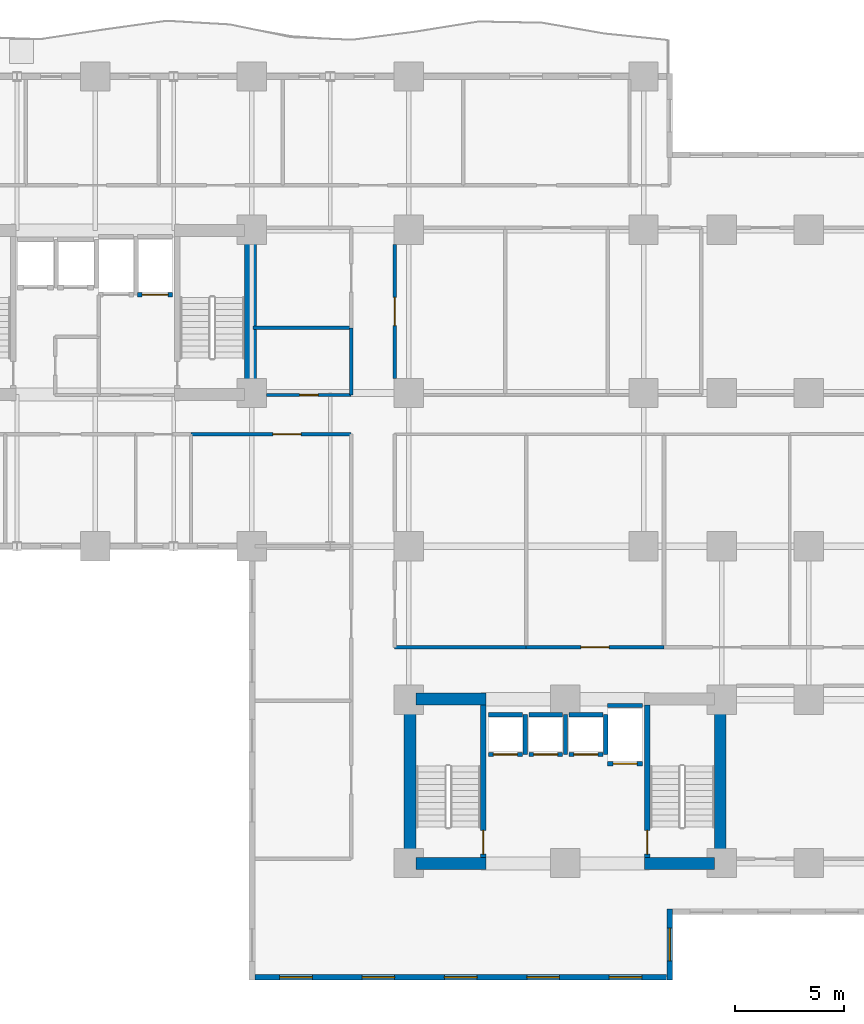
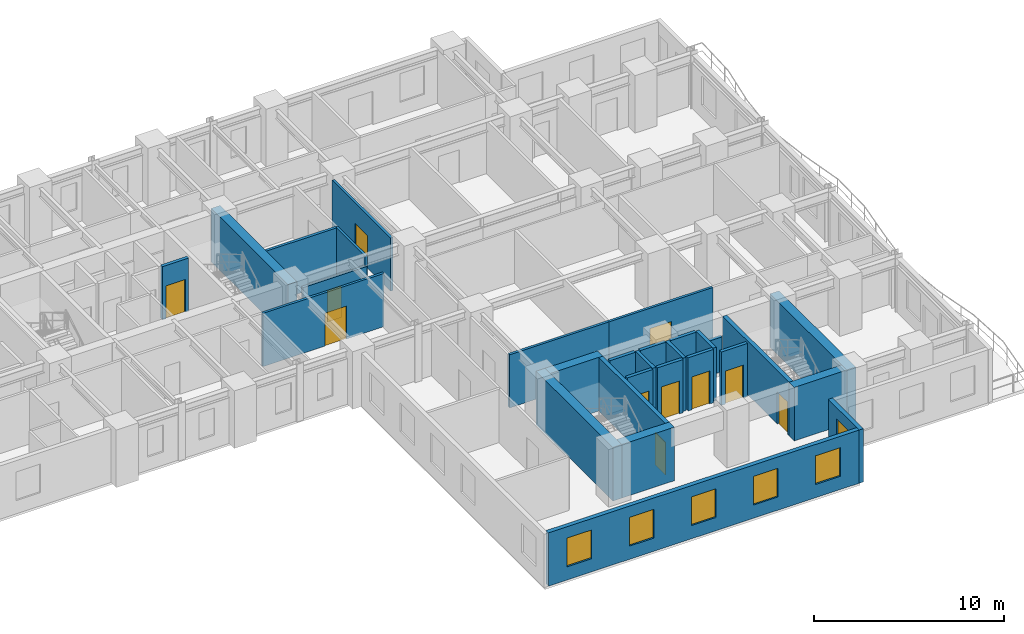
# One storey, part 10 of 17: 29 walls, 11 doors, 6 windows, 17 openings.
"""IFC4 building model written with IfcOpenShell, lengths in metres."""

from ifc_helpers import new_model, si_unit, direction, frame, frame_2d, origin, place, context, subcontext, project, spatial, rectangle, extrude, material, layer, layer_set, type_object, element, fill, save


model = new_model("IFC4")

# Units and contexts
model_context = context("Model", 3, precision=1e-05, world=origin(), true_north=direction((0.0, 1.0)))
body_context = subcontext(model_context, "Body", "Model", "MODEL_VIEW")
ifc_project = project(units=[si_unit("LENGTHUNIT", "METRE"), si_unit("AREAUNIT", "SQUARE_METRE"), si_unit("VOLUMEUNIT", "CUBIC_METRE"), si_unit("PLANEANGLEUNIT", "RADIAN"), si_unit("MASSUNIT", "GRAM", prefix="KILO")], contexts=[model_context])

# Site, building, storey
site_placement = place(None, origin())
site = spatial("IfcSite", under=ifc_project, at=site_placement, CompositionType="ELEMENT")
building_placement = place(site_placement, origin())
building = spatial("IfcBuilding", under=site, at=building_placement, Name="Kaliganga Portal Commons", CompositionType="ELEMENT")
storey_placement = place(building_placement, frame((0.0, 0.0, 62.300048828125)))
storey = spatial("IfcBuildingStorey", under=building, at=storey_placement, Name="L15", CompositionType="ELEMENT", Elevation=62.300048828125)

# Walls
ifc_material_1 = material(Name="Concrete C60/75", Category="concrete")
ifc_layer_1 = layer(ifc_material_1, 0.550048828125)
ifc_layer_set_1 = layer_set([ifc_layer_1], Name="Concrete C60/75")
wall_type_1 = type_object("IfcWallType", Name="WL-CORE-550", PredefinedType="SHEAR", material=ifc_layer_set_1)
wall_1_placement = place(storey_placement, frame((28.72509765625, 28.300048828125, 0.0), z_axis=(0.0, 0.0, 1.0), x_axis=(0.0, 1.0, 0.0)))
element("IfcWall", 1, at=wall_1_placement, inside=storey, type_object=wall_type_1, Name="Core A East Shear Wall L15", PredefinedType="SHEAR", context=body_context, shape_type="SweptSolid", body=[
    extrude(rectangle(XDim=8.099853515625, YDim=0.550048828125, at=frame_2d((4.0498046875, 0.0))), origin(), (0.0, 0.0, 1.0), 3.449951171875),
])
for number, where, z_axis, x_axis, name in (
    (2, (36.074951171875, 6.75, 0.0), (0.0, 0.0, 1.0), (0.0, 1.0, 0.0), "Core B West Shear Wall L15"),
    (3, (50.324951171875, 6.75, 0.0), (0.0, 0.0, 1.0), (0.0, 1.0, 0.0), "Core B East Shear Wall L15"),
):
    element("IfcWall", number, at=place(storey_placement, frame(where, z_axis=z_axis, x_axis=x_axis)), inside=storey, type_object=wall_type_1, Name=name, PredefinedType="SHEAR", context=body_context, shape_type="SweptSolid", body=[
        extrude(rectangle(XDim=8.10009765625, YDim=0.550048828125, at=frame_2d((4.050048828125, 0.0))), origin(), (0.0, 0.0, 1.0), 3.449951171875),
    ])
for number, where, z_axis, x_axis, name in (
    (4, (36.35009765625, 7.02490234375, 0.0), (0.0, 0.0, 1.0), (1.0, 0.0, 0.0), "Core B S-West Shear Wall L15"),
    (5, (46.85009765625, 7.02490234375, 0.0), (0.0, 0.0, 1.0), (1.0, 0.0, 0.0), "Core B S-East Shear Wall L15"),
    (6, (36.35009765625, 14.574951171875, 0.0), (0.0, 0.0, 1.0), (1.0, 0.0, 0.0), "Core B N-West Shear Wall L15"),
):
    element("IfcWall", number, at=place(storey_placement, frame(where, z_axis=z_axis, x_axis=x_axis)), inside=storey, type_object=wall_type_1, Name=name, PredefinedType="SHEAR", context=body_context, shape_type="SweptSolid", body=[
        extrude(rectangle(XDim=3.199951171875, YDim=0.550048828125, at=frame_2d((1.60009765625, 0.0))), origin(), (0.0, 0.0, 1.0), 3.449951171875),
    ])

# Wall, openings, windows
ifc_material_2 = material(Name="Insulated Aluminium-Clad Spandrel Assembly", Category="aluminium")
ifc_layer_2 = layer(ifc_material_2, 0.260009765625)
ifc_layer_set_2 = layer_set([ifc_layer_2], Name="Insulated Aluminium-Clad Spandrel Assembly")
wall_type_2 = type_object("IfcWallType", Name="WL-EXT-SPAND-260", PredefinedType="STANDARD", material=ifc_layer_set_2)
wall_2_placement = place(storey_placement, frame((47.864990234375, 1.800048828125, 0.0), z_axis=(0.0, 0.0, 1.0), x_axis=(-1.0, 0.0, 0.0)))
wall_2 = element("IfcWall", 7, at=wall_2_placement, inside=storey, type_object=wall_type_2, Name="Exterior Envelope Wall L15 P1-E00-S1", PredefinedType="STANDARD", context=body_context, shape_type="SweptSolid", body=[
    extrude(rectangle(XDim=18.929931640625, YDim=0.260009765625, at=frame_2d((9.46484375, 0.0))), origin(), (0.0, 0.0, 1.0), 3.429931640625),
])
opening_1_placement = place(wall_2_placement, frame((1.14306640625, 0.0, 0.85009765625)))
opening_1 = element("IfcOpeningElement", 8, at=opening_1_placement, cuts=wall_2, Name="Opening W-02", PredefinedType="OPENING", context=body_context, shape_type="SweptSolid", body=[
    extrude(rectangle(XDim=1.5, YDim=1.85009765625, at=frame_2d((0.75, 0.925048828125))), frame((0.0, 0.14013671875, 0.0), z_axis=(0.0, -1.0, 0.0), x_axis=(1.0, 0.0, 0.0)), (0.0, 0.0, 1.0), 0.280029296875),
])
opening_2_placement = place(wall_2_placement, frame((4.928955078125, 0.0, 0.85009765625)))
opening_2 = element("IfcOpeningElement", 9, at=opening_2_placement, cuts=wall_2, Name="Opening W-02", PredefinedType="OPENING", context=body_context, shape_type="SweptSolid", body=[
    extrude(rectangle(XDim=1.5, YDim=1.85009765625, at=frame_2d((0.75, 0.925048828125))), frame((0.0, 0.14013671875, 0.0), z_axis=(0.0, -1.0, 0.0), x_axis=(1.0, 0.0, 0.0)), (0.0, 0.0, 1.0), 0.280029296875),
])
opening_3_placement = place(wall_2_placement, frame((8.715087890625, 0.0, 0.85009765625)))
opening_3 = element("IfcOpeningElement", 10, at=opening_3_placement, cuts=wall_2, Name="Opening W-02", PredefinedType="OPENING", context=body_context, shape_type="SweptSolid", body=[
    extrude(rectangle(XDim=1.5, YDim=1.85009765625, at=frame_2d((0.75, 0.925048828125))), frame((0.0, 0.14013671875, 0.0), z_axis=(0.0, -1.0, 0.0), x_axis=(1.0, 0.0, 0.0)), (0.0, 0.0, 1.0), 0.280029296875),
])
opening_4_placement = place(wall_2_placement, frame((12.5009765625, 0.0, 0.85009765625)))
opening_4 = element("IfcOpeningElement", 11, at=opening_4_placement, cuts=wall_2, Name="Opening W-02", PredefinedType="OPENING", context=body_context, shape_type="SweptSolid", body=[
    extrude(rectangle(XDim=1.5, YDim=1.85009765625, at=frame_2d((0.75, 0.925048828125))), frame((0.0, 0.14013671875, 0.0), z_axis=(0.0, -1.0, 0.0), x_axis=(1.0, 0.0, 0.0)), (0.0, 0.0, 1.0), 0.280029296875),
])
opening_5_placement = place(wall_2_placement, frame((16.287109375, 0.0, 0.85009765625)))
opening_5 = element("IfcOpeningElement", 12, at=opening_5_placement, cuts=wall_2, Name="Opening W-02", PredefinedType="OPENING", context=body_context, shape_type="SweptSolid", body=[
    extrude(rectangle(XDim=1.5, YDim=1.85009765625, at=frame_2d((0.75, 0.925048828125))), frame((0.0, 0.14013671875, 0.0), z_axis=(0.0, -1.0, 0.0), x_axis=(1.0, 0.0, 0.0)), (0.0, 0.0, 1.0), 0.280029296875),
])
ifc_material_3 = material(Name="Thermally Broken Aluminium and Low-E Double Glazing", Category="aluminium")
window_type = type_object("IfcWindowType", Name="WIN-STD-1500", PartitioningType="DOUBLE_PANEL_VERTICAL", PredefinedType="WINDOW", material=ifc_material_3)
window_1_placement = place(opening_1_placement, origin())
window_1 = element("IfcWindow", 13, at=window_1_placement, inside=storey, type_object=window_type, Name="Facade Window L15-P1E00S1-00", OverallHeight=1.85009765625, OverallWidth=1.5, PartitioningType="SINGLE_PANEL", PredefinedType="WINDOW", context=body_context, shape_type="SweptSolid", body=[
    extrude(rectangle(XDim=1.5, YDim=1.85009765625, at=frame_2d((0.75, 0.925048828125))), frame((0.0, 0.030029296875, 0.0), z_axis=(0.0, -1.0, 0.0), x_axis=(1.0, 0.0, 0.0)), (0.0, 0.0, 1.0), 0.06005859375),
])
fill(opening_1, window_1)
window_2_placement = place(opening_2_placement, origin())
window_2 = element("IfcWindow", 14, at=window_2_placement, inside=storey, type_object=window_type, Name="Facade Window L15-P1E00S1-01", OverallHeight=1.85009765625, OverallWidth=1.5, PartitioningType="SINGLE_PANEL", PredefinedType="WINDOW", context=body_context, shape_type="SweptSolid", body=[
    extrude(rectangle(XDim=1.5, YDim=1.85009765625, at=frame_2d((0.75, 0.925048828125))), frame((0.0, 0.030029296875, 0.0), z_axis=(0.0, -1.0, 0.0), x_axis=(1.0, 0.0, 0.0)), (0.0, 0.0, 1.0), 0.06005859375),
])
fill(opening_2, window_2)
window_3_placement = place(opening_3_placement, origin())
window_3 = element("IfcWindow", 15, at=window_3_placement, inside=storey, type_object=window_type, Name="Facade Window L15-P1E00S1-02", OverallHeight=1.85009765625, OverallWidth=1.5, PartitioningType="SINGLE_PANEL", PredefinedType="WINDOW", context=body_context, shape_type="SweptSolid", body=[
    extrude(rectangle(XDim=1.5, YDim=1.85009765625, at=frame_2d((0.75, 0.925048828125))), frame((0.0, 0.030029296875, 0.0), z_axis=(0.0, -1.0, 0.0), x_axis=(1.0, 0.0, 0.0)), (0.0, 0.0, 1.0), 0.06005859375),
])
fill(opening_3, window_3)
window_4_placement = place(opening_4_placement, origin())
window_4 = element("IfcWindow", 16, at=window_4_placement, inside=storey, type_object=window_type, Name="Facade Window L15-P1E00S1-03", OverallHeight=1.85009765625, OverallWidth=1.5, PartitioningType="SINGLE_PANEL", PredefinedType="WINDOW", context=body_context, shape_type="SweptSolid", body=[
    extrude(rectangle(XDim=1.5, YDim=1.85009765625, at=frame_2d((0.75, 0.925048828125))), frame((0.0, 0.030029296875, 0.0), z_axis=(0.0, -1.0, 0.0), x_axis=(1.0, 0.0, 0.0)), (0.0, 0.0, 1.0), 0.06005859375),
])
fill(opening_4, window_4)
window_5_placement = place(opening_5_placement, origin())
window_5 = element("IfcWindow", 17, at=window_5_placement, inside=storey, type_object=window_type, Name="Facade Window L15-P1E00S1-04", OverallHeight=1.85009765625, OverallWidth=1.5, PartitioningType="SINGLE_PANEL", PredefinedType="WINDOW", context=body_context, shape_type="SweptSolid", body=[
    extrude(rectangle(XDim=1.5, YDim=1.85009765625, at=frame_2d((0.75, 0.925048828125))), frame((0.0, 0.030029296875, 0.0), z_axis=(0.0, -1.0, 0.0), x_axis=(1.0, 0.0, 0.0)), (0.0, 0.0, 1.0), 0.06005859375),
])
fill(opening_5, window_5)

# Wall, opening, window
wall_3_placement = place(storey_placement, frame((48.0, 4.929931640625, 0.0), z_axis=(0.0, 0.0, 1.0), x_axis=(0.0, -1.0, 0.0)))
wall_3 = element("IfcWall", 18, at=wall_3_placement, inside=storey, type_object=wall_type_2, Name="Exterior Envelope Wall L15 P1-E01-S1", PredefinedType="STANDARD", context=body_context, shape_type="SweptSolid", body=[
    extrude(rectangle(XDim=3.260009765625, YDim=0.260009765625, at=frame_2d((1.6298828125, 0.0))), origin(), (0.0, 0.0, 1.0), 3.429931640625),
])
opening_6_placement = place(wall_3_placement, frame((0.8798828125, 0.0, 0.85009765625)))
opening_6 = element("IfcOpeningElement", 19, at=opening_6_placement, cuts=wall_3, Name="Opening W-02", PredefinedType="OPENING", context=body_context, shape_type="SweptSolid", body=[
    extrude(rectangle(XDim=1.5, YDim=1.85009765625, at=frame_2d((0.75, 0.925048828125))), frame((0.0, 0.14013671875, 0.0), z_axis=(0.0, -1.0, 0.0), x_axis=(1.0, 0.0, 0.0)), (0.0, 0.0, 1.0), 0.280029296875),
])
window_6_placement = place(opening_6_placement, origin())
window_6 = element("IfcWindow", 20, at=window_6_placement, inside=storey, type_object=window_type, Name="Facade Window L15-P1E01S1-00", OverallHeight=1.85009765625, OverallWidth=1.5, PartitioningType="SINGLE_PANEL", PredefinedType="WINDOW", context=body_context, shape_type="SweptSolid", body=[
    extrude(rectangle(XDim=1.5, YDim=1.85009765625, at=frame_2d((0.75, 0.925048828125))), frame((0.0, 0.030029296875, 0.0), z_axis=(0.0, -1.0, 0.0), x_axis=(1.0, 0.0, 0.0)), (0.0, 0.0, 1.0), 0.06005859375),
])
fill(opening_6, window_6)

# Wall, opening, door
ifc_material_4 = material(Name="Fire-Rated Gypsum Board on Steel Stud", Category="steel")
ifc_layer_3 = layer(ifc_material_4, 0.14990234375)
ifc_layer_set_3 = layer_set([ifc_layer_3], Name="Fire-Rated Gypsum Board on Steel Stud")
wall_type_3 = type_object("IfcWallType", Name="WL-PART-CORR-150", PredefinedType="PARTITIONING", material=ifc_layer_set_3)
wall_4_placement = place(storey_placement, frame((35.360107421875, 29.324951171875, 0.0), z_axis=(0.0, 0.0, 1.0), x_axis=(0.0, 1.0, 0.0)))
wall_4 = element("IfcWall", 21, at=wall_4_placement, inside=storey, type_object=wall_type_3, Name="Interior Partition L15-010", PredefinedType="PARTITIONING", context=body_context, shape_type="SweptSolid", body=[
    extrude(rectangle(XDim=6.150146484375, YDim=0.14990234375, at=frame_2d((3.0751953125, 0.0))), origin(), (0.0, 0.0, 1.0), 3.429931640625),
])
opening_7_placement = place(wall_4_placement, frame((2.425048828125, 0.0, 0.0)))
opening_7 = element("IfcOpeningElement", 22, at=opening_7_placement, cuts=wall_4, Name="Opening RD-03", PredefinedType="OPENING", context=body_context, shape_type="SweptSolid", body=[
    extrude(rectangle(XDim=1.300048828125, YDim=2.1201171875, at=frame_2d((0.64990234375, 1.06005859375))), frame((0.0, 0.0849609375, 0.0), z_axis=(0.0, -1.0, 0.0), x_axis=(1.0, 0.0, 0.0)), (0.0, 0.0, 1.0), 0.169921875),
])
ifc_material_5 = material(Name="Glazed Timber Seminar Vision Door", Category="wood")
door_type_1 = type_object("IfcDoorType", Name="DR-STUDY-1300", OperationType="DOUBLE_DOOR_SINGLE_SWING", PredefinedType="DOOR", material=ifc_material_5)
door_1_placement = place(opening_7_placement, origin())
door_1 = element("IfcDoor", 23, at=door_1_placement, inside=storey, type_object=door_type_1, Name="Interior Door L15-BK01", OperationType="DOUBLE_DOOR_SINGLE_SWING", OverallHeight=2.1201171875, OverallWidth=1.300048828125, PredefinedType="DOOR", context=body_context, shape_type="SweptSolid", body=[
    extrude(rectangle(XDim=1.300048828125, YDim=2.1201171875, at=frame_2d((0.64990234375, 1.06005859375))), frame((0.0, 0.02490234375, 0.0), z_axis=(0.0, -1.0, 0.0), x_axis=(1.0, 0.0, 0.0)), (0.0, 0.0, 1.0), 0.050048828125),
])
fill(opening_7, door_1)

wall_5_placement = place(storey_placement, frame((26.0, 26.760009765625, 0.0), z_axis=(0.0, 0.0, 1.0), x_axis=(1.0, 0.0, 0.0)))
wall_5 = element("IfcWall", 24, at=wall_5_placement, inside=storey, type_object=wall_type_3, Name="Interior Partition L15-012", PredefinedType="PARTITIONING", context=body_context, shape_type="SweptSolid", body=[
    extrude(rectangle(XDim=7.360107421875, YDim=0.14990234375, at=frame_2d((3.68017578125, 0.0))), origin(), (0.0, 0.0, 1.0), 3.429931640625),
])
opening_8_placement = place(wall_5_placement, frame((3.76611328125, 0.0, 0.0)))
opening_8 = element("IfcOpeningElement", 25, at=opening_8_placement, cuts=wall_5, Name="Opening RD-03", PredefinedType="OPENING", context=body_context, shape_type="SweptSolid", body=[
    extrude(rectangle(XDim=1.300048828125, YDim=2.1201171875, at=frame_2d((0.64990234375, 1.06005859375))), frame((0.0, 0.0849609375, 0.0), z_axis=(0.0, -1.0, 0.0), x_axis=(1.0, 0.0, 0.0)), (0.0, 0.0, 1.0), 0.169921875),
])
door_2_placement = place(opening_8_placement, origin())
door_2 = element("IfcDoor", 26, at=door_2_placement, inside=storey, type_object=door_type_1, Name="Interior Door L15-AS05", OperationType="DOUBLE_DOOR_SINGLE_SWING", OverallHeight=2.1201171875, OverallWidth=1.300048828125, PredefinedType="DOOR", context=body_context, shape_type="SweptSolid", body=[
    extrude(rectangle(XDim=1.300048828125, YDim=2.1201171875, at=frame_2d((0.64990234375, 1.06005859375))), frame((0.0, 0.02490234375, 0.0), z_axis=(0.0, -1.0, 0.0), x_axis=(1.0, 0.0, 0.0)), (0.0, 0.0, 1.0), 0.050048828125),
])
fill(opening_8, door_2)

wall_6_placement = place(storey_placement, frame((41.39990234375, 16.9599609375, 0.0), z_axis=(0.0, 0.0, 1.0), x_axis=(1.0, 0.0, 0.0)))
wall_6 = element("IfcWall", 27, at=wall_6_placement, inside=storey, type_object=wall_type_3, Name="Interior Partition L15-019", PredefinedType="PARTITIONING", context=body_context, shape_type="SweptSolid", body=[
    extrude(rectangle(XDim=6.340087890625, YDim=0.14990234375, at=frame_2d((3.169921875, 0.0))), origin(), (0.0, 0.0, 1.0), 3.429931640625),
])
opening_9_placement = place(wall_6_placement, frame((2.52001953125, 0.0, 0.0)))
opening_9 = element("IfcOpeningElement", 28, at=opening_9_placement, cuts=wall_6, Name="Opening RD-03", PredefinedType="OPENING", context=body_context, shape_type="SweptSolid", body=[
    extrude(rectangle(XDim=1.300048828125, YDim=2.1201171875, at=frame_2d((0.64990234375, 1.06005859375))), frame((0.0, 0.0849609375, 0.0), z_axis=(0.0, -1.0, 0.0), x_axis=(1.0, 0.0, 0.0)), (0.0, 0.0, 1.0), 0.169921875),
])
door_3_placement = place(opening_9_placement, origin())
door_3 = element("IfcDoor", 29, at=door_3_placement, inside=storey, type_object=door_type_1, Name="Interior Door L15-BM02", OperationType="DOUBLE_DOOR_SINGLE_SWING", OverallHeight=2.1201171875, OverallWidth=1.300048828125, PredefinedType="DOOR", context=body_context, shape_type="SweptSolid", body=[
    extrude(rectangle(XDim=1.300048828125, YDim=2.1201171875, at=frame_2d((0.64990234375, 1.06005859375))), frame((0.0, 0.02490234375, 0.0), z_axis=(0.0, -1.0, 0.0), x_axis=(1.0, 0.0, 0.0)), (0.0, 0.0, 1.0), 0.050048828125),
])
fill(opening_9, door_3)

# Wall
wall_7_placement = place(storey_placement, frame((35.360107421875, 16.9599609375, 0.0), z_axis=(0.0, 0.0, 1.0), x_axis=(1.0, 0.0, 0.0)))
element("IfcWall", 30, at=wall_7_placement, inside=storey, type_object=wall_type_3, Name="Interior Partition L15-021", PredefinedType="PARTITIONING", context=body_context, shape_type="SweptSolid", body=[
    extrude(rectangle(XDim=6.039794921875, YDim=0.14990234375, at=frame_2d((3.02001953125, 0.0))), origin(), (0.0, 0.0, 1.0), 3.429931640625),
])

# Wall, opening, door
wall_8_placement = place(storey_placement, frame((29.47509765625, 28.56005859375, 0.0), z_axis=(0.0, 0.0, 1.0), x_axis=(1.0, 0.0, 0.0)))
wall_8 = element("IfcWall", 31, at=wall_8_placement, inside=storey, type_object=wall_type_3, Name="Interior Partition L15-034", PredefinedType="PARTITIONING", context=body_context, shape_type="SweptSolid", body=[
    extrude(rectangle(XDim=3.885009765625, YDim=0.14990234375, at=frame_2d((1.9423828125, 0.0))), origin(), (0.0, 0.0, 1.0), 2.780029296875),
])
opening_10_placement = place(wall_8_placement, frame((1.512451171875, 0.0, 0.0)))
opening_10 = element("IfcOpeningElement", 32, at=opening_10_placement, cuts=wall_8, Name="Opening WD-02", PredefinedType="OPENING", context=body_context, shape_type="SweptSolid", body=[
    extrude(rectangle(XDim=0.860107421875, YDim=2.02001953125, at=frame_2d((0.43017578125, 1.010009765625))), frame((0.0, 0.0849609375, 0.0), z_axis=(0.0, -1.0, 0.0), x_axis=(1.0, 0.0, 0.0)), (0.0, 0.0, 1.0), 0.169921875),
])
ifc_material_6 = material(Name="Fire-Rated Utility Closet Door", Category="wood")
door_type_2 = type_object("IfcDoorType", Name="DR-STORE-800", OperationType="NOTDEFINED", PredefinedType="DOOR", material=ifc_material_6)
door_4_placement = place(opening_10_placement, origin())
door_4 = element("IfcDoor", 33, at=door_4_placement, inside=storey, type_object=door_type_2, Name="Interior Door L15-CSRV_A1", OperationType="SINGLE_SWING_LEFT", OverallHeight=2.02001953125, OverallWidth=0.860107421875, PredefinedType="DOOR", context=body_context, shape_type="SweptSolid", body=[
    extrude(rectangle(XDim=0.860107421875, YDim=2.02001953125, at=frame_2d((0.43017578125, 1.010009765625))), frame((0.0, 0.02490234375, 0.0), z_axis=(0.0, -1.0, 0.0), x_axis=(1.0, 0.0, 0.0)), (0.0, 0.0, 1.0), 0.050048828125),
])
fill(opening_10, door_4)

# Walls
wall_9_placement = place(storey_placement, frame((33.360107421875, 28.56005859375, 0.0), z_axis=(0.0, 0.0, 1.0), x_axis=(0.0, 1.0, 0.0)))
element("IfcWall", 34, at=wall_9_placement, inside=storey, type_object=wall_type_3, Name="Interior Partition L15-041", PredefinedType="PARTITIONING", context=body_context, shape_type="SweptSolid", body=[
    extrude(rectangle(XDim=3.079833984375, YDim=0.14990234375, at=frame_2d((1.5400390625, 0.0))), origin(), (0.0, 0.0, 1.0), 3.429931640625),
])
ifc_material_7 = material(Name="Twin-Stud Acoustic Gypsum Partition", Category="gypsum")
ifc_layer_4 = layer(ifc_material_7, 0.1650390625)
ifc_layer_set_4 = layer_set([ifc_layer_4], Name="Twin-Stud Acoustic Gypsum Partition")
wall_type_4 = type_object("IfcWallType", Name="WL-PART-UNIT-165", PredefinedType="PARTITIONING", material=ifc_layer_set_4)
wall_10_placement = place(storey_placement, frame((28.840087890625, 31.639892578125, 0.0), z_axis=(0.0, 0.0, 1.0), x_axis=(1.0, 0.0, 0.0)))
element("IfcWall", 35, at=wall_10_placement, inside=storey, type_object=wall_type_4, Name="Interior Partition L15-076", PredefinedType="PARTITIONING", context=body_context, shape_type="SweptSolid", body=[
    extrude(rectangle(XDim=4.52001953125, YDim=0.1650390625, at=frame_2d((2.260009765625, 0.0))), origin(), (0.0, 0.0, 1.0), 3.429931640625),
])

# Wall, opening, door
ifc_material_8 = material(Name="Fire-Rated Shaftwall Masonry Assembly", Category="masonry")
ifc_layer_5 = layer(ifc_material_8, 0.199951171875)
ifc_layer_set_5 = layer_set([ifc_layer_5], Name="Fire-Rated Shaftwall Masonry Assembly")
wall_type_5 = type_object("IfcWallType", Name="WL-SHAFT-200", PredefinedType="PARTITIONING", material=ifc_layer_set_5)
wall_11_placement = place(storey_placement, frame((23.550048828125, 33.159912109375, 0.0), z_axis=(0.0, 0.0, 1.0), x_axis=(1.0, 0.0, 0.0)))
wall_11 = element("IfcWall", 36, at=wall_11_placement, inside=storey, type_object=wall_type_5, Name="Lift FFL-2 Hoistway Shaft Wall L15-S", PredefinedType="PARTITIONING", context=body_context, shape_type="SweptSolid", body=[
    extrude(rectangle(XDim=1.599853515625, YDim=0.199951171875, at=frame_2d((0.7998046875, 0.0))), origin(), (0.0, 0.0, 1.0), 3.429931640625),
])
opening_11_placement = place(wall_11_placement, frame((0.199951171875, 0.0, 0.0)))
opening_11 = element("IfcOpeningElement", 37, at=opening_11_placement, cuts=wall_11, Name="Opening LD-02", PredefinedType="OPENING", context=body_context, shape_type="SweptSolid", body=[
    extrude(rectangle(XDim=1.199951171875, YDim=2.1201171875, at=frame_2d((0.60009765625, 1.06005859375))), frame((0.0, 0.10986328125, 0.0), z_axis=(0.0, -1.0, 0.0), x_axis=(1.0, 0.0, 0.0)), (0.0, 0.0, 1.0), 0.219970703125),
])
ifc_material_9 = material(Name="Brushed Stainless Steel 316 Stretcher Lift Landing Door", Category="steel")
door_type_3 = type_object("IfcDoorType", Name="DR-LIFT-1200", OperationType="SLIDING_TO_RIGHT", PredefinedType="DOOR", material=ifc_material_9)
door_5_placement = place(opening_11_placement, origin())
door_5 = element("IfcDoor", 38, at=door_5_placement, inside=storey, type_object=door_type_3, Name="Lift FFL-2 Sliding Landing Door L15", OperationType="SLIDING_TO_RIGHT", OverallHeight=2.1201171875, OverallWidth=1.199951171875, PredefinedType="DOOR", context=body_context, shape_type="SweptSolid", body=[
    extrude(rectangle(XDim=1.199951171875, YDim=2.1201171875, at=frame_2d((0.60009765625, 1.06005859375))), frame((0.0, 0.02490234375, 0.0), z_axis=(0.0, -1.0, 0.0), x_axis=(1.0, 0.0, 0.0)), (0.0, 0.0, 1.0), 0.050048828125),
])
fill(opening_11, door_5)

wall_12_placement = place(storey_placement, frame((39.675048828125, 12.034912109375, 0.0), z_axis=(0.0, 0.0, 1.0), x_axis=(1.0, 0.0, 0.0)))
wall_12 = element("IfcWall", 39, at=wall_12_placement, inside=storey, type_object=wall_type_5, Name="Lift PL-B1 Hoistway Shaft Wall L15-S", PredefinedType="PARTITIONING", context=body_context, shape_type="SweptSolid", body=[
    extrude(rectangle(XDim=1.550048828125, YDim=0.199951171875, at=frame_2d((0.77490234375, 0.0))), origin(), (0.0, 0.0, 1.0), 3.429931640625),
])
opening_12_placement = place(wall_12_placement, frame((0.22509765625, 0.0, 0.0)))
opening_12 = element("IfcOpeningElement", 40, at=opening_12_placement, cuts=wall_12, Name="Opening LD-01", PredefinedType="OPENING", context=body_context, shape_type="SweptSolid", body=[
    extrude(rectangle(XDim=1.10009765625, YDim=2.1201171875, at=frame_2d((0.550048828125, 1.06005859375))), frame((0.0, 0.10986328125, 0.0), z_axis=(0.0, -1.0, 0.0), x_axis=(1.0, 0.0, 0.0)), (0.0, 0.0, 1.0), 0.219970703125),
])
ifc_material_10 = material(Name="Brushed Stainless Steel 316 Lift Landing Door", Category="steel")
door_type_4 = type_object("IfcDoorType", Name="DR-LIFT-1100", OperationType="SLIDING_TO_LEFT", PredefinedType="DOOR", material=ifc_material_10)
door_6_placement = place(opening_12_placement, origin())
door_6 = element("IfcDoor", 41, at=door_6_placement, inside=storey, type_object=door_type_4, Name="Lift PL-B1 Sliding Landing Door L15", OperationType="SLIDING_TO_LEFT", OverallHeight=2.1201171875, OverallWidth=1.10009765625, PredefinedType="DOOR", context=body_context, shape_type="SweptSolid", body=[
    extrude(rectangle(XDim=1.10009765625, YDim=2.1201171875, at=frame_2d((0.550048828125, 1.06005859375))), frame((0.0, 0.02490234375, 0.0), z_axis=(0.0, -1.0, 0.0), x_axis=(1.0, 0.0, 0.0)), (0.0, 0.0, 1.0), 0.050048828125),
])
fill(opening_12, door_6)

# Walls
wall_13_placement = place(storey_placement, frame((39.675048828125, 13.864990234375, 0.0), z_axis=(0.0, 0.0, 1.0), x_axis=(1.0, 0.0, 0.0)))
element("IfcWall", 42, at=wall_13_placement, inside=storey, type_object=wall_type_5, Name="Lift PL-B1 Hoistway Shaft Wall L15-N", PredefinedType="PARTITIONING", context=body_context, shape_type="SweptSolid", body=[
    extrude(rectangle(XDim=1.550048828125, YDim=0.199951171875, at=frame_2d((0.77490234375, 0.0))), origin(), (0.0, 0.0, 1.0), 3.429931640625),
])
wall_14_placement = place(storey_placement, frame((41.364990234375, 12.034912109375, 0.0), z_axis=(0.0, 0.0, 1.0), x_axis=(0.0, 1.0, 0.0)))
element("IfcWall", 43, at=wall_14_placement, inside=storey, type_object=wall_type_5, Name="Lift PL-B1 Hoistway Shaft Wall L15-E", PredefinedType="PARTITIONING", context=body_context, shape_type="SweptSolid", body=[
    extrude(rectangle(XDim=1.830078125, YDim=0.199951171875, at=frame_2d((0.9150390625, 0.0))), origin(), (0.0, 0.0, 1.0), 3.429931640625),
])

# Wall, opening, door
wall_15_placement = place(storey_placement, frame((41.52490234375, 12.034912109375, 0.0), z_axis=(0.0, 0.0, 1.0), x_axis=(1.0, 0.0, 0.0)))
wall_15 = element("IfcWall", 44, at=wall_15_placement, inside=storey, type_object=wall_type_5, Name="Lift PL-B2 Hoistway Shaft Wall L15-S", PredefinedType="PARTITIONING", context=body_context, shape_type="SweptSolid", body=[
    extrude(rectangle(XDim=1.550048828125, YDim=0.199951171875, at=frame_2d((0.77490234375, 0.0))), origin(), (0.0, 0.0, 1.0), 3.429931640625),
])
opening_13_placement = place(wall_15_placement, frame((0.22509765625, 0.0, 0.0)))
opening_13 = element("IfcOpeningElement", 45, at=opening_13_placement, cuts=wall_15, Name="Opening LD-01", PredefinedType="OPENING", context=body_context, shape_type="SweptSolid", body=[
    extrude(rectangle(XDim=1.10009765625, YDim=2.1201171875, at=frame_2d((0.550048828125, 1.06005859375))), frame((0.0, 0.10986328125, 0.0), z_axis=(0.0, -1.0, 0.0), x_axis=(1.0, 0.0, 0.0)), (0.0, 0.0, 1.0), 0.219970703125),
])
door_7_placement = place(opening_13_placement, origin())
door_7 = element("IfcDoor", 46, at=door_7_placement, inside=storey, type_object=door_type_4, Name="Lift PL-B2 Sliding Landing Door L15", OperationType="SLIDING_TO_LEFT", OverallHeight=2.1201171875, OverallWidth=1.10009765625, PredefinedType="DOOR", context=body_context, shape_type="SweptSolid", body=[
    extrude(rectangle(XDim=1.10009765625, YDim=2.1201171875, at=frame_2d((0.550048828125, 1.06005859375))), frame((0.0, 0.02490234375, 0.0), z_axis=(0.0, -1.0, 0.0), x_axis=(1.0, 0.0, 0.0)), (0.0, 0.0, 1.0), 0.050048828125),
])
fill(opening_13, door_7)

# Walls
wall_16_placement = place(storey_placement, frame((41.52490234375, 13.864990234375, 0.0), z_axis=(0.0, 0.0, 1.0), x_axis=(1.0, 0.0, 0.0)))
element("IfcWall", 47, at=wall_16_placement, inside=storey, type_object=wall_type_5, Name="Lift PL-B2 Hoistway Shaft Wall L15-N", PredefinedType="PARTITIONING", context=body_context, shape_type="SweptSolid", body=[
    extrude(rectangle(XDim=1.550048828125, YDim=0.199951171875, at=frame_2d((0.77490234375, 0.0))), origin(), (0.0, 0.0, 1.0), 3.429931640625),
])
wall_17_placement = place(storey_placement, frame((43.215087890625, 12.034912109375, 0.0), z_axis=(0.0, 0.0, 1.0), x_axis=(0.0, 1.0, 0.0)))
element("IfcWall", 48, at=wall_17_placement, inside=storey, type_object=wall_type_5, Name="Lift PL-B2 Hoistway Shaft Wall L15-E", PredefinedType="PARTITIONING", context=body_context, shape_type="SweptSolid", body=[
    extrude(rectangle(XDim=1.830078125, YDim=0.199951171875, at=frame_2d((0.9150390625, 0.0))), origin(), (0.0, 0.0, 1.0), 3.429931640625),
])

# Wall, opening, door
wall_18_placement = place(storey_placement, frame((43.375, 12.034912109375, 0.0), z_axis=(0.0, 0.0, 1.0), x_axis=(1.0, 0.0, 0.0)))
wall_18 = element("IfcWall", 49, at=wall_18_placement, inside=storey, type_object=wall_type_5, Name="Lift SH-2 Hoistway Shaft Wall L15-S", PredefinedType="PARTITIONING", context=body_context, shape_type="SweptSolid", body=[
    extrude(rectangle(XDim=1.550048828125, YDim=0.199951171875, at=frame_2d((0.77490234375, 0.0))), origin(), (0.0, 0.0, 1.0), 3.429931640625),
])
opening_14_placement = place(wall_18_placement, frame((0.22509765625, 0.0, 0.0)))
opening_14 = element("IfcOpeningElement", 50, at=opening_14_placement, cuts=wall_18, Name="Opening LD-01", PredefinedType="OPENING", context=body_context, shape_type="SweptSolid", body=[
    extrude(rectangle(XDim=1.10009765625, YDim=2.1201171875, at=frame_2d((0.550048828125, 1.06005859375))), frame((0.0, 0.10986328125, 0.0), z_axis=(0.0, -1.0, 0.0), x_axis=(1.0, 0.0, 0.0)), (0.0, 0.0, 1.0), 0.219970703125),
])
door_8_placement = place(opening_14_placement, origin())
door_8 = element("IfcDoor", 51, at=door_8_placement, inside=storey, type_object=door_type_4, Name="Lift SH-2 Sliding Landing Door L15", OperationType="SLIDING_TO_LEFT", OverallHeight=2.1201171875, OverallWidth=1.10009765625, PredefinedType="DOOR", context=body_context, shape_type="SweptSolid", body=[
    extrude(rectangle(XDim=1.10009765625, YDim=2.1201171875, at=frame_2d((0.550048828125, 1.06005859375))), frame((0.0, 0.02490234375, 0.0), z_axis=(0.0, -1.0, 0.0), x_axis=(1.0, 0.0, 0.0)), (0.0, 0.0, 1.0), 0.050048828125),
])
fill(opening_14, door_8)

# Walls
wall_19_placement = place(storey_placement, frame((43.375, 13.864990234375, 0.0), z_axis=(0.0, 0.0, 1.0), x_axis=(1.0, 0.0, 0.0)))
element("IfcWall", 52, at=wall_19_placement, inside=storey, type_object=wall_type_5, Name="Lift SH-2 Hoistway Shaft Wall L15-N", PredefinedType="PARTITIONING", context=body_context, shape_type="SweptSolid", body=[
    extrude(rectangle(XDim=1.550048828125, YDim=0.199951171875, at=frame_2d((0.77490234375, 0.0))), origin(), (0.0, 0.0, 1.0), 3.429931640625),
])
wall_20_placement = place(storey_placement, frame((45.06494140625, 12.034912109375, 0.0), z_axis=(0.0, 0.0, 1.0), x_axis=(0.0, 1.0, 0.0)))
element("IfcWall", 53, at=wall_20_placement, inside=storey, type_object=wall_type_5, Name="Lift SH-2 Hoistway Shaft Wall L15-E", PredefinedType="PARTITIONING", context=body_context, shape_type="SweptSolid", body=[
    extrude(rectangle(XDim=1.830078125, YDim=0.199951171875, at=frame_2d((0.9150390625, 0.0))), origin(), (0.0, 0.0, 1.0), 3.429931640625),
])

# Wall, opening, door
wall_21_placement = place(storey_placement, frame((45.14990234375, 11.610107421875, 0.0), z_axis=(0.0, 0.0, 1.0), x_axis=(1.0, 0.0, 0.0)))
wall_21 = element("IfcWall", 54, at=wall_21_placement, inside=storey, type_object=wall_type_5, Name="Lift SL-B1 Hoistway Shaft Wall L15-S", PredefinedType="PARTITIONING", context=body_context, shape_type="SweptSolid", body=[
    extrude(rectangle(XDim=1.60009765625, YDim=0.199951171875, at=frame_2d((0.800048828125, 0.0))), origin(), (0.0, 0.0, 1.0), 3.429931640625),
])
opening_15_placement = place(wall_21_placement, frame((0.25, 0.0, 0.0)))
opening_15 = element("IfcOpeningElement", 55, at=opening_15_placement, cuts=wall_21, Name="Opening LD-01", PredefinedType="OPENING", context=body_context, shape_type="SweptSolid", body=[
    extrude(rectangle(XDim=1.10009765625, YDim=2.1201171875, at=frame_2d((0.550048828125, 1.06005859375))), frame((0.0, 0.10986328125, 0.0), z_axis=(0.0, -1.0, 0.0), x_axis=(1.0, 0.0, 0.0)), (0.0, 0.0, 1.0), 0.219970703125),
])
door_9_placement = place(opening_15_placement, origin())
door_9 = element("IfcDoor", 56, at=door_9_placement, inside=storey, type_object=door_type_4, Name="Lift SL-B1 Sliding Landing Door L15", OperationType="SLIDING_TO_LEFT", OverallHeight=2.1201171875, OverallWidth=1.10009765625, PredefinedType="DOOR", context=body_context, shape_type="SweptSolid", body=[
    extrude(rectangle(XDim=1.10009765625, YDim=2.1201171875, at=frame_2d((0.550048828125, 1.06005859375))), frame((0.0, 0.02490234375, 0.0), z_axis=(0.0, -1.0, 0.0), x_axis=(1.0, 0.0, 0.0)), (0.0, 0.0, 1.0), 0.050048828125),
])
fill(opening_15, door_9)

# Wall
wall_22_placement = place(storey_placement, frame((45.14990234375, 14.2900390625, 0.0), z_axis=(0.0, 0.0, 1.0), x_axis=(1.0, 0.0, 0.0)))
element("IfcWall", 57, at=wall_22_placement, inside=storey, type_object=wall_type_5, Name="Lift SL-B1 Hoistway Shaft Wall L15-N", PredefinedType="PARTITIONING", context=body_context, shape_type="SweptSolid", body=[
    extrude(rectangle(XDim=1.60009765625, YDim=0.199951171875, at=frame_2d((0.800048828125, 0.0))), origin(), (0.0, 0.0, 1.0), 2.22998046875),
])

# Wall, opening, door
ifc_material_11 = material(Name="Concrete C50/60", Category="concrete")
ifc_layer_6 = layer(ifc_material_11, 0.25)
ifc_layer_set_6 = layer_set([ifc_layer_6], Name="Concrete C50/60")
wall_type_6 = type_object("IfcWallType", Name="WL-STAIR-250", PredefinedType="SHEAR", material=ifc_layer_set_6)
wall_23_placement = place(storey_placement, frame((39.425048828125, 7.300048828125, 0.0), z_axis=(0.0, 0.0, 1.0), x_axis=(0.0, 1.0, 0.0)))
wall_23 = element("IfcWall", 58, at=wall_23_placement, inside=storey, type_object=wall_type_6, Name="Stair B1 Enclosure Shear Wall L15", PredefinedType="SHEAR", context=body_context, shape_type="SweptSolid", body=[
    extrude(rectangle(XDim=7.0, YDim=0.25, at=frame_2d((3.5, 0.0))), origin(), (0.0, 0.0, 1.0), 3.449951171875),
])
opening_16_placement = place(wall_23_placement, frame((0.14990234375, 0.0, 0.0)))
opening_16 = element("IfcOpeningElement", 59, at=opening_16_placement, cuts=wall_23, Name="Opening SD-01", PredefinedType="OPENING", context=body_context, shape_type="SweptSolid", body=[
    extrude(rectangle(XDim=1.10009765625, YDim=2.080078125, at=frame_2d((0.550048828125, 1.0400390625))), frame((0.0, 0.135009765625, 0.0), z_axis=(0.0, -1.0, 0.0), x_axis=(1.0, 0.0, 0.0)), (0.0, 0.0, 1.0), 0.27001953125),
])
ifc_material_12 = material(Name="Galvanized Steel Fire Door Leaf and Frame", Category="steel")
door_type_5 = type_object("IfcDoorType", Name="DR-STAIR-1100", OperationType="NOTDEFINED", PredefinedType="DOOR", material=ifc_material_12)
door_10_placement = place(opening_16_placement, origin())
door_10 = element("IfcDoor", 60, at=door_10_placement, inside=storey, type_object=door_type_5, Name="Protected Stair ST-B1 Fire Door L15", OperationType="SINGLE_SWING_LEFT", OverallHeight=2.080078125, OverallWidth=1.10009765625, PredefinedType="DOOR", context=body_context, shape_type="SweptSolid", body=[
    extrude(rectangle(XDim=1.10009765625, YDim=2.080078125, at=frame_2d((0.550048828125, 1.0400390625))), frame((0.0, 0.02490234375, 0.0), z_axis=(0.0, -1.0, 0.0), x_axis=(1.0, 0.0, 0.0)), (0.0, 0.0, 1.0), 0.050048828125),
])
fill(opening_16, door_10)

wall_24_placement = place(storey_placement, frame((46.97509765625, 7.300048828125, 0.0), z_axis=(0.0, 0.0, 1.0), x_axis=(0.0, 1.0, 0.0)))
wall_24 = element("IfcWall", 61, at=wall_24_placement, inside=storey, type_object=wall_type_6, Name="Stair B2 Enclosure Shear Wall L15", PredefinedType="SHEAR", context=body_context, shape_type="SweptSolid", body=[
    extrude(rectangle(XDim=7.0, YDim=0.25, at=frame_2d((3.5, 0.0))), origin(), (0.0, 0.0, 1.0), 3.449951171875),
])
opening_17_placement = place(wall_24_placement, frame((0.14990234375, 0.0, 0.0)))
opening_17 = element("IfcOpeningElement", 62, at=opening_17_placement, cuts=wall_24, Name="Opening SD-01", PredefinedType="OPENING", context=body_context, shape_type="SweptSolid", body=[
    extrude(rectangle(XDim=1.10009765625, YDim=2.080078125, at=frame_2d((0.550048828125, 1.0400390625))), frame((0.0, 0.135009765625, 0.0), z_axis=(0.0, -1.0, 0.0), x_axis=(1.0, 0.0, 0.0)), (0.0, 0.0, 1.0), 0.27001953125),
])
door_11_placement = place(opening_17_placement, origin())
door_11 = element("IfcDoor", 63, at=door_11_placement, inside=storey, type_object=door_type_5, Name="Protected Stair ST-B2 Fire Door L15", OperationType="SINGLE_SWING_RIGHT", OverallHeight=2.080078125, OverallWidth=1.10009765625, PredefinedType="DOOR", context=body_context, shape_type="SweptSolid", body=[
    extrude(rectangle(XDim=1.10009765625, YDim=2.080078125, at=frame_2d((0.550048828125, 1.0400390625))), frame((0.0, 0.02490234375, 0.0), z_axis=(0.0, -1.0, 0.0), x_axis=(1.0, 0.0, 0.0)), (0.0, 0.0, 1.0), 0.050048828125),
])
fill(opening_17, door_11)

save(model, "model.ifc")
